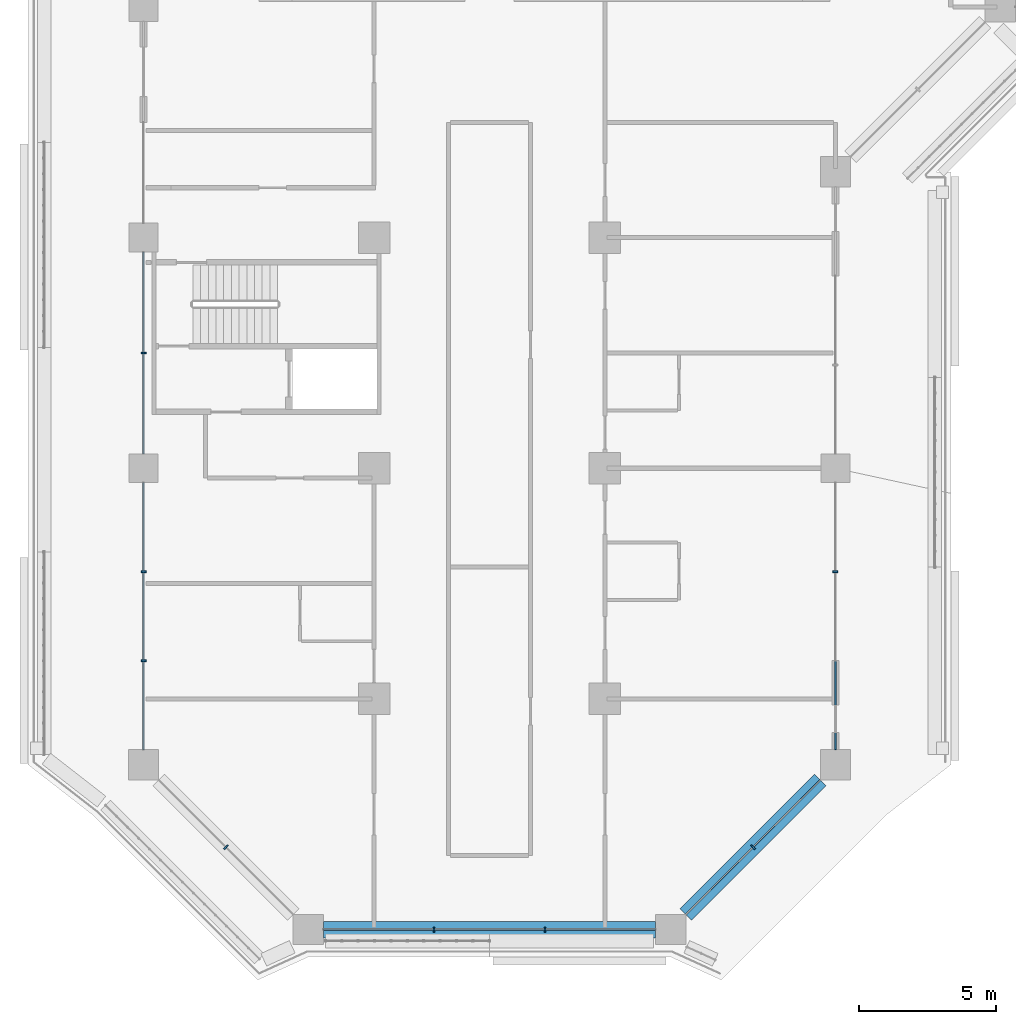
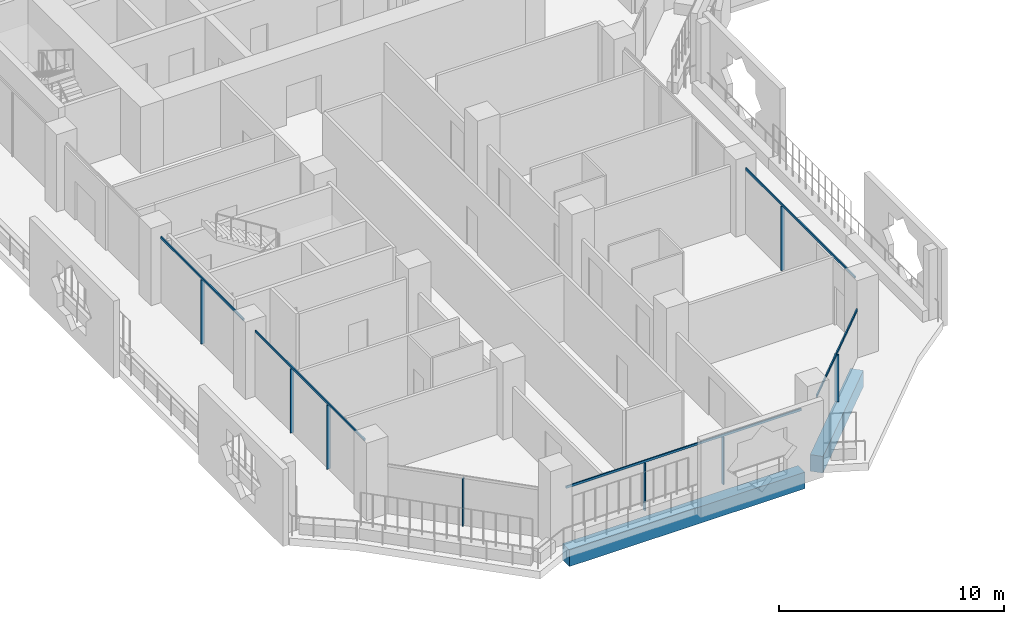
# One storey, part 2 of 25: 13 members, 2 beams, 5 elements without a shape of their own.
"""IFC4 building model written with IfcOpenShell, lengths in metres."""

from ifc_helpers import new_model, si_unit, direction, frame, origin, origin_2d, place, context, subcontext, project, spatial, rectangle, extrude, material, layer, layer_set, material_profile, profile_set, type_object, element, aggregate, save


model = new_model("IFC4")

# Units and contexts
model_context = context("Model", 3, precision=1e-05, world=origin(), true_north=direction((0.0, 1.0)))
body_context = subcontext(model_context, "Body", "Model", "MODEL_VIEW")
ifc_project = project(units=[si_unit("LENGTHUNIT", "METRE"), si_unit("AREAUNIT", "SQUARE_METRE"), si_unit("VOLUMEUNIT", "CUBIC_METRE"), si_unit("PLANEANGLEUNIT", "RADIAN"), si_unit("MASSUNIT", "GRAM", prefix="KILO")], contexts=[model_context])

# Site, building, storey
site_placement = place(None, origin())
site = spatial("IfcSite", under=ifc_project, at=site_placement, CompositionType="ELEMENT")
building_placement = place(site_placement, origin())
building = spatial("IfcBuilding", under=site, at=building_placement, Name="Kawkab Arch Medical Tower", CompositionType="ELEMENT")
storey_placement = place(building_placement, frame((0.0, 0.0, 140.800048828125)))
storey = spatial("IfcBuildingStorey", under=building, at=storey_placement, Name="L32", CompositionType="ELEMENT", Elevation=140.800048828125)

# Curtain wall, members
ifc_material_1 = material(Name="Bronze anodised aluminium curtain wall frame", Category="aluminium")
ifc_layer_1 = layer(ifc_material_1, 0.159912109375)
ifc_layer_set_1 = layer_set([ifc_layer_1], Name="Bronze anodised aluminium curtain wall frame")
curtain_wall_type_1 = type_object("IfcCurtainWallType", Name="CW1 ward curtain wall", PredefinedType="NOTDEFINED", material=ifc_layer_set_1)
placement = place(storey_placement, origin())
curtain_wall_1 = element("IfcCurtainWall", 1, at=placement, inside=storey, type_object=curtain_wall_type_1, Name="CW1 Ward curtain wall R01", PredefinedType="NOTDEFINED")
ifc_material_2 = material(Name="Bronze anodised aluminium curtain wall frame", Category="aluminium")
ifc_material_profile_1 = material_profile(ifc_material_2, rectangle(XDim=0.179931640625, YDim=0.06005859375, at=origin_2d()), Name="AL 60x180")
ifc_profile_set_1 = profile_set([ifc_material_profile_1], Name="Bronze anodised aluminium curtain wall frame")
member_type_1 = type_object("IfcMemberType", Name="CW1 mullion 60 x 180", PredefinedType="MULLION", material=ifc_profile_set_1)
member_1_placement = place(storey_placement, frame((0.0, -37.800048828125, 0.0), z_axis=(0.0, 0.0, 1.0), x_axis=(1.0, 0.0, 0.0)))
member_1 = element("IfcMember", 2, at=member_1_placement, type_object=member_type_1, Name="CW1 mullion 5.1", PredefinedType="MULLION", context=body_context, shape_type="SweptSolid", body=[
    extrude(rectangle(XDim=0.179931640625, YDim=0.06005859375, at=origin_2d()), origin(), (0.0, 0.0, 1.0), 3.47998046875),
])
member_2_placement = place(storey_placement, frame((0.0, -45.7666015625, 0.0), z_axis=(0.0, 0.0, 1.0), x_axis=(1.0, 0.0, 0.0)))
member_2 = element("IfcMember", 3, at=member_2_placement, type_object=member_type_1, Name="CW1 mullion 6.1", PredefinedType="MULLION", context=body_context, shape_type="SweptSolid", body=[
    extrude(rectangle(XDim=0.179931640625, YDim=0.06005859375, at=origin_2d()), origin(), (0.0, 0.0, 1.0), 3.47998046875),
])
member_3_placement = place(storey_placement, frame((0.0, -49.00830078125, 0.0), z_axis=(0.0, 0.0, 1.0), x_axis=(1.0, 0.0, 0.0)))
member_3 = element("IfcMember", 4, at=member_3_placement, type_object=member_type_1, Name="CW1 mullion 6.2", PredefinedType="MULLION", context=body_context, shape_type="SweptSolid", body=[
    extrude(rectangle(XDim=0.179931640625, YDim=0.06005859375, at=origin_2d()), origin(), (0.0, 0.0, 1.0), 3.47998046875),
])

curtain_wall_2 = element("IfcCurtainWall", 5, at=placement, inside=storey, type_object=curtain_wall_type_1, Name="CW1 Ward curtain wall R03", PredefinedType="NOTDEFINED")
member_4_placement = place(storey_placement, frame((10.583251953125, -58.800048828125, 0.0), z_axis=(0.0, 0.0, 1.0), x_axis=(0.0, 1.0, 0.0)))
member_4 = element("IfcMember", 6, at=member_4_placement, type_object=member_type_1, Name="CW1 mullion 1.1", PredefinedType="MULLION", context=body_context, shape_type="SweptSolid", body=[
    extrude(rectangle(XDim=0.179931640625, YDim=0.06005859375, at=origin_2d()), origin(), (0.0, 0.0, 1.0), 2.579833984375),
])
member_5_placement = place(storey_placement, frame((14.61669921875, -58.800048828125, 0.0), z_axis=(0.0, 0.0, 1.0), x_axis=(0.0, 1.0, 0.0)))
member_5 = element("IfcMember", 7, at=member_5_placement, type_object=member_type_1, Name="CW1 mullion 1.2", PredefinedType="MULLION", context=body_context, shape_type="SweptSolid", body=[
    extrude(rectangle(XDim=0.179931640625, YDim=0.06005859375, at=origin_2d()), origin(), (0.0, 0.0, 1.0), 2.579833984375),
])

# Curtain wall, member
curtain_wall_3 = element("IfcCurtainWall", 8, at=placement, inside=storey, type_object=curtain_wall_type_1, Name="CW1 Ward curtain wall R05", PredefinedType="NOTDEFINED")
member_6_placement = place(storey_placement, frame((25.199951171875, -45.7666015625, 0.0), z_axis=(0.0, 0.0, 1.0), x_axis=(-1.0, 0.0, 0.0)))
member_6 = element("IfcMember", 9, at=member_6_placement, type_object=member_type_1, Name="CW1 mullion 1.2", PredefinedType="MULLION", context=body_context, shape_type="SweptSolid", body=[
    extrude(rectangle(XDim=0.179931640625, YDim=0.06005859375, at=origin_2d()), origin(), (0.0, 0.0, 1.0), 3.47998046875),
])

# Member
ifc_material_3 = material(Name="Bronze anodised aluminium curtain wall frame", Category="aluminium")
ifc_material_profile_2 = material_profile(ifc_material_3, rectangle(XDim=0.06005859375, YDim=0.1201171875, at=origin_2d()), Name="AL 60x120")
ifc_profile_set_2 = profile_set([ifc_material_profile_2], Name="Bronze anodised aluminium curtain wall frame")
member_type_2 = type_object("IfcMemberType", Name="CW1 transom 120 x 60", PredefinedType="USERDEFINED", material=ifc_profile_set_2)
member_7_placement = place(storey_placement, frame((0.0, -34.125, 3.5400390625), z_axis=(0.0, -1.0, 0.0), x_axis=(1.0, 0.0, 0.0)))
member_7 = element("IfcMember", 10, at=member_7_placement, type_object=member_type_2, Name="CW1 transom 5", ObjectType="TRANSOM", PredefinedType="USERDEFINED", context=body_context, shape_type="SweptSolid", body=[
    extrude(rectangle(XDim=0.06005859375, YDim=0.1201171875, at=origin_2d()), origin(), (0.0, 0.0, 1.0), 7.35009765625),
])

member_8_placement = place(storey_placement, frame((0.0, -42.52490234375, 3.5400390625), z_axis=(0.0, -1.0, 0.0), x_axis=(1.0, 0.0, 0.0)))
member_8 = element("IfcMember", 11, at=member_8_placement, type_object=member_type_2, Name="CW1 transom 6", ObjectType="TRANSOM", PredefinedType="USERDEFINED", context=body_context, shape_type="SweptSolid", body=[
    extrude(rectangle(XDim=0.06005859375, YDim=0.1201171875, at=origin_2d()), origin(), (0.0, 0.0, 1.0), 9.72509765625),
])

aggregate(curtain_wall_1, [member_7, member_1, member_8, member_2, member_3])

member_9_placement = place(storey_placement, frame((6.550048828125, -58.800048828125, 2.639892578125), z_axis=(1.0, 0.0, 0.0), x_axis=(0.0, 1.0, 0.0)))
member_9 = element("IfcMember", 12, at=member_9_placement, type_object=member_type_2, Name="CW1 transom 1", ObjectType="TRANSOM", PredefinedType="USERDEFINED", context=body_context, shape_type="SweptSolid", body=[
    extrude(rectangle(XDim=0.06005859375, YDim=0.1201171875, at=origin_2d()), origin(), (0.0, 0.0, 1.0), 12.099853515625),
])

aggregate(curtain_wall_2, [member_9, member_4, member_5])

member_10_placement = place(storey_placement, frame((25.199951171875, -52.25, 3.5400390625), z_axis=(0.0, 1.0, 0.0), x_axis=(-1.0, 0.0, 0.0)))
member_10 = element("IfcMember", 13, at=member_10_placement, type_object=member_type_2, Name="CW1 transom 1", ObjectType="TRANSOM", PredefinedType="USERDEFINED", context=body_context, shape_type="SweptSolid", body=[
    extrude(rectangle(XDim=0.06005859375, YDim=0.1201171875, at=origin_2d()), origin(), (0.0, 0.0, 1.0), 9.72509765625),
])

aggregate(curtain_wall_3, [member_10, member_6])

# Curtain wall, member
ifc_material_4 = material(Name="Bronze anodised aluminium curtain wall frame", Category="aluminium")
ifc_layer_2 = layer(ifc_material_4, 0.159912109375)
ifc_layer_set_2 = layer_set([ifc_layer_2], Name="Bronze anodised aluminium curtain wall frame")
curtain_wall_type_2 = type_object("IfcCurtainWallType", Name="CW2 chamfer curtain wall", PredefinedType="NOTDEFINED", material=ifc_layer_set_2)
curtain_wall_4 = element("IfcCurtainWall", 14, at=placement, inside=storey, type_object=curtain_wall_type_2, Name="CW2 Chamfer curtain wall R02", PredefinedType="NOTDEFINED")
ifc_material_5 = material(Name="Bronze anodised aluminium curtain wall frame", Category="aluminium")
ifc_material_profile_3 = material_profile(ifc_material_5, rectangle(XDim=0.199951171875, YDim=0.06005859375, at=origin_2d()), Name="AL 60x200")
ifc_profile_set_3 = profile_set([ifc_material_profile_3], Name="Bronze anodised aluminium curtain wall frame")
member_type_3 = type_object("IfcMemberType", Name="CW2 mullion 60 x 200", PredefinedType="MULLION", material=ifc_profile_set_3)
member_11_placement = place(storey_placement, frame((3.0, -55.800048828125, 0.0), z_axis=(0.0, 0.0, 1.0), x_axis=(0.707106781187, 0.707106781187, 0.0)))
member_11 = element("IfcMember", 15, at=member_11_placement, type_object=member_type_3, Name="CW2 mullion 1.1", PredefinedType="MULLION", context=body_context, shape_type="SweptSolid", body=[
    extrude(rectangle(XDim=0.199951171875, YDim=0.06005859375, at=origin_2d()), origin(), (0.0, 0.0, 1.0), 2.56005859375),
])
aggregate(curtain_wall_4, [member_11])

# Curtain wall, members
curtain_wall_5 = element("IfcCurtainWall", 16, at=placement, inside=storey, type_object=curtain_wall_type_2, Name="CW2 Chamfer curtain wall R04", PredefinedType="NOTDEFINED")
member_12_placement = place(storey_placement, frame((22.199951171875, -55.800048828125, 0.0), z_axis=(0.0, 0.0, 1.0), x_axis=(-0.707106781187, 0.707106781187, 0.0)))
member_12 = element("IfcMember", 17, at=member_12_placement, type_object=member_type_3, Name="CW2 mullion 1.1", PredefinedType="MULLION", context=body_context, shape_type="SweptSolid", body=[
    extrude(rectangle(XDim=0.199951171875, YDim=0.06005859375, at=origin_2d()), origin(), (0.0, 0.0, 1.0), 2.56005859375),
])
ifc_material_6 = material(Name="Bronze anodised aluminium curtain wall frame", Category="aluminium")
ifc_material_profile_4 = material_profile(ifc_material_6, rectangle(XDim=0.06005859375, YDim=0.139892578125, at=origin_2d()), Name="AL 60x140")
ifc_profile_set_4 = profile_set([ifc_material_profile_4], Name="Bronze anodised aluminium curtain wall frame")
member_type_4 = type_object("IfcMemberType", Name="CW2 transom 140 x 60", PredefinedType="USERDEFINED", material=ifc_profile_set_4)
member_13_placement = place(storey_placement, frame((19.75, -58.25, 2.6298828125), z_axis=(0.707106781187, 0.707106781187, 0.0), x_axis=(-0.707106781187, 0.707106781187, 0.0)))
member_13 = element("IfcMember", 18, at=member_13_placement, type_object=member_type_4, Name="CW2 transom 1", ObjectType="TRANSOM", PredefinedType="USERDEFINED", context=body_context, shape_type="SweptSolid", body=[
    extrude(rectangle(XDim=0.06005859375, YDim=0.139892578125, at=origin_2d()), origin(), (0.0, 0.0, 1.0), 6.929443359375),
])
aggregate(curtain_wall_5, [member_13, member_12])

# Beams
ifc_material_7 = material(Name="Concrete C55/67", Category="concrete")
ifc_material_profile_5 = material_profile(ifc_material_7, rectangle(XDim=0.60009765625, YDim=0.89990234375, at=origin_2d()), Name="RC 600x900")
ifc_profile_set_5 = profile_set([ifc_material_profile_5], Name="Concrete C55/67")
beam_type = type_object("IfcBeamType", Name="RC 600x900 beam C55/67", PredefinedType="BEAM", material=ifc_profile_set_5)
beam_1_placement = place(storey_placement, frame((24.64990234375, -53.35009765625, -1.050048828125), z_axis=(-0.707106781187, -0.707106781187, 0.0), x_axis=(0.707106781187, -0.707106781187, 0.0)))
element("IfcBeam", 19, at=beam_1_placement, inside=storey, type_object=beam_type, Name="Overhang edge beam L32-07", PredefinedType="BEAM", context=body_context, shape_type="SweptSolid", body=[
    extrude(rectangle(XDim=0.60009765625, YDim=0.89990234375, at=origin_2d()), origin(), (0.0, 0.0, 1.0), 6.929443359375),
])
beam_2_placement = place(storey_placement, frame((18.64990234375, -58.800048828125, -1.050048828125), z_axis=(-1.0, 0.0, 0.0), x_axis=(0.0, -1.0, 0.0)))
element("IfcBeam", 20, at=beam_2_placement, inside=storey, type_object=beam_type, Name="Overhang edge beam L32-08", PredefinedType="BEAM", context=body_context, shape_type="SweptSolid", body=[
    extrude(rectangle(XDim=0.60009765625, YDim=0.89990234375, at=origin_2d()), origin(), (0.0, 0.0, 1.0), 12.099853515625),
])

save(model, "model.ifc")
